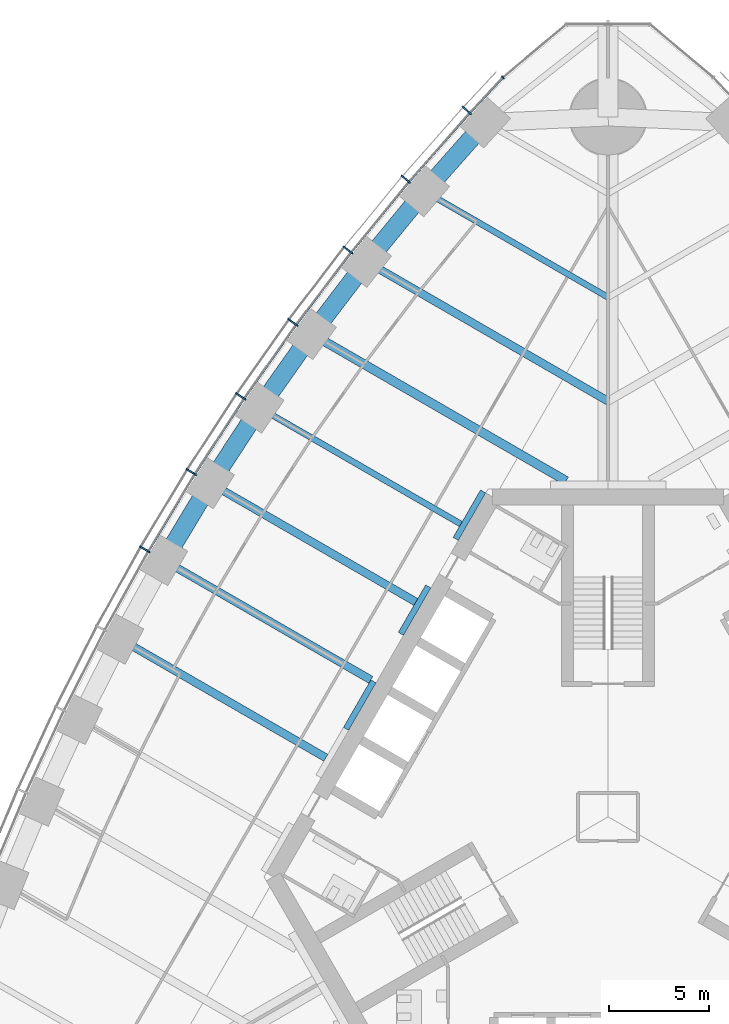
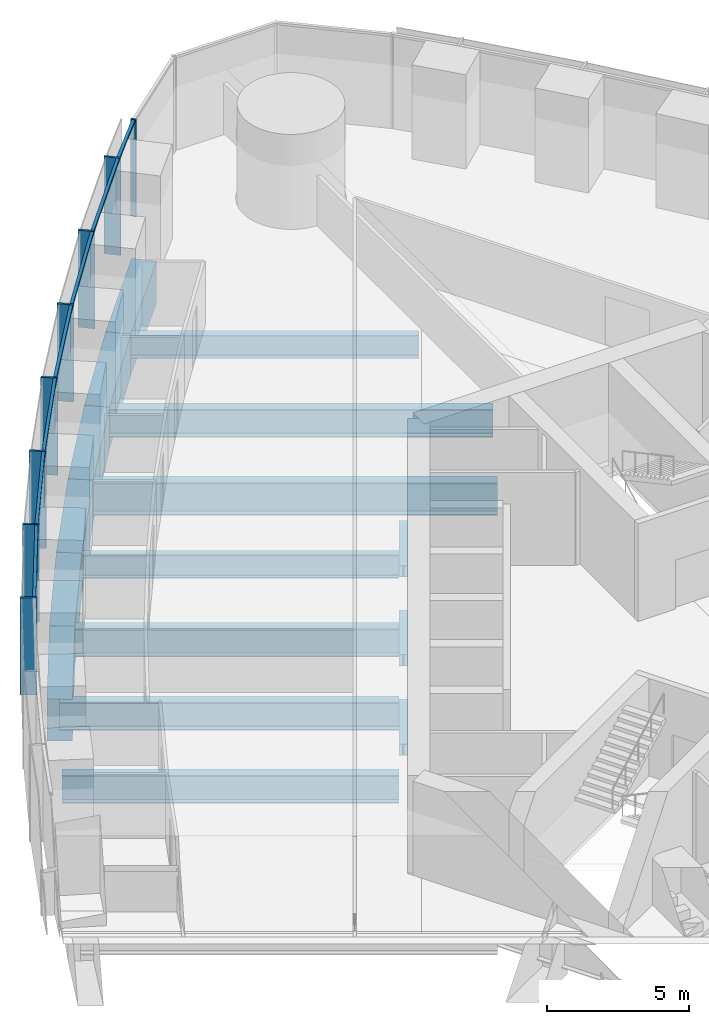
# One storey, part 4 of 18: 16 beams, 15 members, 2 elements without a shape of their own.
"""IFC4 building model written with IfcOpenShell, lengths in metres."""

from ifc_helpers import new_model, si_unit, direction, frame, origin, origin_2d, place, context, subcontext, project, spatial, rectangle, i_section, extrude, material, material_profile, profile_set, type_object, element, aggregate, save


model = new_model("IFC4")

# Units and contexts
model_context = context("Model", 3, precision=1e-05, world=origin(), true_north=direction((0.0, 1.0)))
body_context = subcontext(model_context, "Body", "Model", "MODEL_VIEW")
ifc_project = project(units=[si_unit("LENGTHUNIT", "METRE"), si_unit("AREAUNIT", "SQUARE_METRE"), si_unit("VOLUMEUNIT", "CUBIC_METRE"), si_unit("PLANEANGLEUNIT", "RADIAN"), si_unit("MASSUNIT", "GRAM", prefix="KILO")], contexts=[model_context])

# Site, building, storey
site_placement = place(None, origin())
site = spatial("IfcSite", under=ifc_project, at=site_placement, CompositionType="ELEMENT")
building_placement = place(site_placement, origin())
building = spatial("IfcBuilding", under=site, at=building_placement, Name="Trefoil Bronze Tower", CompositionType="ELEMENT")
storey_placement = place(building_placement, frame((0.0, 0.0, 161.89990234375)))
storey = spatial("IfcBuildingStorey", under=building, at=storey_placement, Name="L37", CompositionType="ELEMENT", Elevation=161.89990234375)

# Curtain wall, members
ifc_material_1 = material(Name="Tinted solar-control glass", Category="glass")
curtain_wall_type_1 = type_object("IfcCurtainWallType", Name="Bronze office curtain wall", PredefinedType="USERDEFINED", material=ifc_material_1)
curtain_wall_1_placement = place(storey_placement, origin())
curtain_wall_1 = element("IfcCurtainWall", 1, at=curtain_wall_1_placement, inside=storey, type_object=curtain_wall_type_1, Name="CW-A L37 F3", ObjectType="CURTAIN WALL", PredefinedType="USERDEFINED")
ifc_material_2 = material(Name="Bronze-finish aluminium", Category="aluminium")
ifc_material_profile_1 = material_profile(ifc_material_2, rectangle(XDim=0.60009765625, YDim=0.080078125, at=origin_2d()), Name="CW-A mullion")
ifc_profile_set_1 = profile_set([ifc_material_profile_1], Name="Bronze-finish aluminium")
member_type_1 = type_object("IfcMemberType", Name="Bronze office curtain wall mullion", PredefinedType="MULLION", material=ifc_profile_set_1)
member_1_placement = place(storey_placement, frame((-7.070068359375, 35.332275390625, 0.0), z_axis=(0.0, 0.0, 1.0), x_axis=(0.740360700327, -0.672209813534, 0.0)))
member_1 = element("IfcMember", 2, at=member_1_placement, type_object=member_type_1, Name="CW-A L37 F3 mullion 2", PredefinedType="MULLION", context=body_context, shape_type="SweptSolid", body=[
    extrude(rectangle(XDim=0.60009765625, YDim=0.080078125, at=origin_2d()), origin(), (0.0, 0.0, 1.0), 4.18017578125),
])
member_2_placement = place(storey_placement, frame((-10.11474609375, 31.8828125, 0.0), z_axis=(0.0, 0.0, 1.0), x_axis=(0.761721651066, -0.647904411389, 0.0)))
member_2 = element("IfcMember", 3, at=member_2_placement, type_object=member_type_1, Name="CW-A L37 F3 mullion 3", PredefinedType="MULLION", context=body_context, shape_type="SweptSolid", body=[
    extrude(rectangle(XDim=0.60009765625, YDim=0.080078125, at=origin_2d()), origin(), (0.0, 0.0, 1.0), 4.18017578125),
])
member_3_placement = place(storey_placement, frame((-13.01220703125, 28.34716796875, 0.0), z_axis=(0.0, 0.0, 1.0), x_axis=(0.78487913905, -0.619648882098, 0.0)))
member_3 = element("IfcMember", 4, at=member_3_placement, type_object=member_type_1, Name="CW-A L37 F3 mullion 4", PredefinedType="MULLION", context=body_context, shape_type="SweptSolid", body=[
    extrude(rectangle(XDim=0.60009765625, YDim=0.080078125, at=origin_2d()), origin(), (0.0, 0.0, 1.0), 4.18017578125),
])
member_4_placement = place(storey_placement, frame((-15.764404296875, 24.7275390625, 0.0), z_axis=(0.0, 0.0, 1.0), x_axis=(0.806874522901, -0.590722865897, 0.0)))
member_4 = element("IfcMember", 5, at=member_4_placement, type_object=member_type_1, Name="CW-A L37 F3 mullion 5", PredefinedType="MULLION", context=body_context, shape_type="SweptSolid", body=[
    extrude(rectangle(XDim=0.60009765625, YDim=0.080078125, at=origin_2d()), origin(), (0.0, 0.0, 1.0), 4.18017578125),
])
member_5_placement = place(storey_placement, frame((-18.373046875, 21.025146484375, 0.0), z_axis=(0.0, 0.0, 1.0), x_axis=(0.827723925749, -0.561135547566, 0.0)))
member_5 = element("IfcMember", 6, at=member_5_placement, type_object=member_type_1, Name="CW-A L37 F3 mullion 6", PredefinedType="MULLION", context=body_context, shape_type="SweptSolid", body=[
    extrude(rectangle(XDim=0.60009765625, YDim=0.080078125, at=origin_2d()), origin(), (0.0, 0.0, 1.0), 4.18017578125),
])
member_6_placement = place(storey_placement, frame((-20.840087890625, 17.24072265625, 0.0), z_axis=(0.0, 0.0, 1.0), x_axis=(0.84743864936, -0.530893337283, 0.0)))
member_6 = element("IfcMember", 7, at=member_6_placement, type_object=member_type_1, Name="CW-A L37 F3 mullion 7", PredefinedType="MULLION", context=body_context, shape_type="SweptSolid", body=[
    extrude(rectangle(XDim=0.60009765625, YDim=0.080078125, at=origin_2d()), origin(), (0.0, 0.0, 1.0), 4.18017578125),
])
member_7_placement = place(storey_placement, frame((-23.166015625, 13.374755859375, 0.0), z_axis=(0.0, 0.0, 1.0), x_axis=(0.866025403784, -0.5, 0.0)))
member_7 = element("IfcMember", 8, at=member_7_placement, type_object=member_type_1, Name="CW-A L37 F3 mullion 8", PredefinedType="MULLION", context=body_context, shape_type="SweptSolid", body=[
    extrude(rectangle(XDim=0.60009765625, YDim=0.080078125, at=origin_2d()), origin(), (0.0, 0.0, 1.0), 4.18017578125),
])
ifc_material_3 = material(Name="Bronze-finish aluminium", Category="aluminium")
ifc_material_profile_2 = material_profile(ifc_material_3, rectangle(XDim=0.1201171875, YDim=0.10009765625, at=origin_2d()), Name="CW-A transom")
ifc_profile_set_2 = profile_set([ifc_material_profile_2], Name="Bronze-finish aluminium")
member_type_2 = type_object("IfcMemberType", Name="Bronze office curtain wall transom", PredefinedType="USERDEFINED", material=ifc_profile_set_2)
member_8_placement = place(storey_placement, frame((-5.296630859375, 36.9384765625, 4.130126953125), z_axis=(-0.682489214428, -0.730895664366, 0.0), x_axis=(0.730895664366, -0.682489214428, 0.0)))
member_8 = element("IfcMember", 9, at=member_8_placement, type_object=member_type_2, Name="CW-A L37 F3 transom 1", ObjectType="TRANSOM", PredefinedType="USERDEFINED", context=body_context, shape_type="SweptSolid", body=[
    extrude(rectangle(XDim=0.1201171875, YDim=0.10009765625, at=origin_2d()), origin(), (0.0, 0.0, 1.0), 2.340087890625),
])
member_9_placement = place(storey_placement, frame((-6.949462890625, 35.166748046875, 4.130126953125), z_axis=(-0.66173618877, -0.749736764786, 0.0), x_axis=(0.749736764786, -0.66173618877, 0.0)))
member_9 = element("IfcMember", 10, at=member_9_placement, type_object=member_type_2, Name="CW-A L37 F3 transom 2", ObjectType="TRANSOM", PredefinedType="USERDEFINED", context=body_context, shape_type="SweptSolid", body=[
    extrude(rectangle(XDim=0.1201171875, YDim=0.10009765625, at=origin_2d()), origin(), (0.0, 0.0, 1.0), 4.510986328125),
])
member_10_placement = place(storey_placement, frame((-9.98876953125, 31.720947265625, 4.130126953125), z_axis=(-0.633848872297, -0.773456919995, 0.0), x_axis=(0.773456919995, -0.633848872297, 0.0)))
member_10 = element("IfcMember", 11, at=member_10_placement, type_object=member_type_2, Name="CW-A L37 F3 transom 3", ObjectType="TRANSOM", PredefinedType="USERDEFINED", context=body_context, shape_type="SweptSolid", body=[
    extrude(rectangle(XDim=0.1201171875, YDim=0.10009765625, at=origin_2d()), origin(), (0.0, 0.0, 1.0), 4.480224609375),
])
member_11_placement = place(storey_placement, frame((-12.880615234375, 28.18994140625, 4.130126953125), z_axis=(-0.605229114572, -0.796051329296, 0.0), x_axis=(0.796051329296, -0.605229114572, 0.0)))
member_11 = element("IfcMember", 12, at=member_11_placement, type_object=member_type_2, Name="CW-A L37 F3 transom 4", ObjectType="TRANSOM", PredefinedType="USERDEFINED", context=body_context, shape_type="SweptSolid", body=[
    extrude(rectangle(XDim=0.1201171875, YDim=0.10009765625, at=origin_2d()), origin(), (0.0, 0.0, 1.0), 4.456298828125),
])
member_12_placement = place(storey_placement, frame((-15.626953125, 24.5751953125, 4.130126953125), z_axis=(-0.576017858824, -0.817437108478, 0.0), x_axis=(0.817437108478, -0.576017858824, 0.0)))
member_12 = element("IfcMember", 13, at=member_12_placement, type_object=member_type_2, Name="CW-A L37 F3 transom 5", ObjectType="TRANSOM", PredefinedType="USERDEFINED", context=body_context, shape_type="SweptSolid", body=[
    extrude(rectangle(XDim=0.1201171875, YDim=0.10009765625, at=origin_2d()), origin(), (0.0, 0.0, 1.0), 4.4384765625),
])
member_13_placement = place(storey_placement, frame((-18.23046875, 20.877685546875, 4.130126953125), z_axis=(-0.546079336226, -0.837733465099, 0.0), x_axis=(0.837733465099, -0.546079336226, 0.0)))
member_13 = element("IfcMember", 14, at=member_13_placement, type_object=member_type_2, Name="CW-A L37 F3 transom 6", ObjectType="TRANSOM", PredefinedType="USERDEFINED", context=body_context, shape_type="SweptSolid", body=[
    extrude(rectangle(XDim=0.1201171875, YDim=0.10009765625, at=origin_2d()), origin(), (0.0, 0.0, 1.0), 4.426513671875),
])
member_14_placement = place(storey_placement, frame((-20.692138671875, 17.0986328125, 4.130126953125), z_axis=(-0.515526794174, -0.856873458854, 0.0), x_axis=(0.856873458854, -0.515526794174, 0.0)))
member_14 = element("IfcMember", 15, at=member_14_placement, type_object=member_type_2, Name="CW-A L37 F3 transom 7", ObjectType="TRANSOM", PredefinedType="USERDEFINED", context=body_context, shape_type="SweptSolid", body=[
    extrude(rectangle(XDim=0.1201171875, YDim=0.10009765625, at=origin_2d()), origin(), (0.0, 0.0, 1.0), 4.4208984375),
])
aggregate(curtain_wall_1, [member_1, member_2, member_3, member_4, member_5, member_6, member_7, member_8, member_9, member_10, member_11, member_12, member_13, member_14])

# Curtain wall, member
ifc_material_4 = material(Name="Tinted solar-control glass", Category="glass")
curtain_wall_type_2 = type_object("IfcCurtainWallType", Name="Bronze rounded corner curtain wall", PredefinedType="USERDEFINED", material=ifc_material_4)
curtain_wall_2_placement = place(storey_placement, origin())
curtain_wall_2 = element("IfcCurtainWall", 16, at=curtain_wall_2_placement, inside=storey, type_object=curtain_wall_type_2, Name="CW-B L37 K2", ObjectType="CURTAIN WALL", PredefinedType="USERDEFINED")
ifc_material_5 = material(Name="Bronze-finish aluminium", Category="aluminium")
ifc_material_profile_3 = material_profile(ifc_material_5, rectangle(XDim=0.199951171875, YDim=0.06005859375, at=origin_2d()), Name="CW-B mullion")
ifc_profile_set_3 = profile_set([ifc_material_profile_3], Name="Bronze-finish aluminium")
member_type_3 = type_object("IfcMemberType", Name="Bronze rounded corner curtain wall mullion", PredefinedType="MULLION", material=ifc_profile_set_3)
member_15_placement = place(storey_placement, frame((-5.260498046875, 36.975830078125, 0.0), z_axis=(0.0, 0.0, 1.0), x_axis=(0.642787609687, -0.766044443119, 0.0)))
member_15 = element("IfcMember", 17, at=member_15_placement, type_object=member_type_3, Name="CW-B L37 K2 mullion 4", PredefinedType="MULLION", context=body_context, shape_type="SweptSolid", body=[
    extrude(rectangle(XDim=0.199951171875, YDim=0.06005859375, at=origin_2d()), origin(), (0.0, 0.0, 1.0), 4.18017578125),
])
aggregate(curtain_wall_2, [member_15])

# Beams
ifc_material_6 = material(Name="Steel C355", Category="steel")
ifc_material_profile_4 = material_profile(ifc_material_6, i_section(OverallWidth=0.300048828125, OverallDepth=0.5, WebThickness=0.014404296875, FlangeThickness=0.028076171875, FilletRadius=0.027099609375, at=origin_2d()), Name="HEB 500")
ifc_profile_set_4 = profile_set([ifc_material_profile_4], Name="Steel C355")
beam_type_1 = type_object("IfcBeamType", Name="Core seat beam HEB 500", PredefinedType="BEAM", material=ifc_profile_set_4)
for number, where, z_axis, x_axis, name in (
    (18, (-6.249755859375, 16.27490234375, -0.449951171875), (-0.500035825175, -0.866004719122, 0.0), (0.866004719122, -0.500035825175, 0.0), "Core seat beam F3/-2 L37"),
    (19, (-8.9921875, 11.52490234375, -0.449951171875), (-0.500035825175, -0.866004719122, 0.0), (0.866004719122, -0.500035825175, 0.0), "Core seat beam F3/-1 L37"),
    (20, (-11.734619140625, 6.77490234375, -0.449951171875), (-0.500035825175, -0.866004719122, 0.0), (0.866004719122, -0.500035825175, 0.0), "Core seat beam F3/+0 L37"),
):
    element("IfcBeam", number, at=place(storey_placement, frame(where, z_axis=z_axis, x_axis=x_axis)), inside=storey, type_object=beam_type_1, Name=name, PredefinedType="BEAM", context=body_context, shape_type="SweptSolid", body=[
        extrude(i_section(OverallWidth=0.300048828125, OverallDepth=0.5, WebThickness=0.014404296875, FlangeThickness=0.028076171875, FilletRadius=0.027099609375, at=origin_2d()), origin(), (0.0, 0.0, 1.0), 2.742431640625),
    ])
ifc_material_7 = material(Name="Steel C355", Category="steel")
ifc_material_profile_5 = material_profile(ifc_material_7, i_section(OverallWidth=0.300048828125, OverallDepth=1.0, WebThickness=0.01904296875, FlangeThickness=0.035888671875, FilletRadius=0.030029296875, at=origin_2d()), Name="HEB 1000")
ifc_profile_set_5 = profile_set([ifc_material_profile_5], Name="Steel C355")
beam_type_2 = type_object("IfcBeamType", Name="Floor beam HEB 1000", PredefinedType="BEAM", material=ifc_profile_set_5)
beam_1_placement = place(storey_placement, frame((-9.181884765625, 31.281982421875, -0.699951171875), z_axis=(0.866021079084, -0.500007490527, 0.0), x_axis=(0.500007490527, 0.866021079084, 0.0)))
element("IfcBeam", 21, at=beam_1_placement, inside=storey, type_object=beam_type_2, Name="Floor beam F3/-5 L37", PredefinedType="BEAM", context=body_context, shape_type="SweptSolid", body=[
    extrude(i_section(OverallWidth=0.300048828125, OverallDepth=1.0, WebThickness=0.01904296875, FlangeThickness=0.035888671875, FilletRadius=0.030029296875, at=origin_2d()), origin(), (0.0, 0.0, 1.0), 10.602294921875),
])
ifc_material_8 = material(Name="Steel C355", Category="steel")
ifc_material_profile_6 = material_profile(ifc_material_8, i_section(OverallWidth=0.302001953125, OverallDepth=1.008056640625, WebThickness=0.02099609375, FlangeThickness=0.0400390625, FilletRadius=0.030029296875, at=origin_2d()), Name="HEM 1000")
ifc_profile_set_6 = profile_set([ifc_material_profile_6], Name="Steel C355")
beam_type_3 = type_object("IfcBeamType", Name="Floor beam HEM 1000", PredefinedType="BEAM", material=ifc_profile_set_6)
beam_2_placement = place(storey_placement, frame((-17.43017578125, 20.45556640625, -0.703857421875), z_axis=(0.866030626868, -0.499990953245, 0.0), x_axis=(0.499990953245, 0.866030626868, 0.0)))
element("IfcBeam", 22, at=beam_2_placement, inside=storey, type_object=beam_type_3, Name="Floor beam F3/-2 L37", PredefinedType="BEAM", context=body_context, shape_type="SweptSolid", body=[
    extrude(i_section(OverallWidth=0.302001953125, OverallDepth=1.008056640625, WebThickness=0.02099609375, FlangeThickness=0.0400390625, FilletRadius=0.030029296875, at=origin_2d()), origin(), (0.0, 0.0, 1.0), 11.622802734375),
])
ifc_material_9 = material(Name="Steel C355", Category="steel")
ifc_material_profile_7 = material_profile(ifc_material_9, i_section(OverallWidth=0.39990234375, OverallDepth=1.199951171875, WebThickness=0.02001953125, FlangeThickness=0.0400390625, FilletRadius=0.010009765625, at=origin_2d()), Name="WPG 1200")
ifc_profile_set_7 = profile_set([ifc_material_profile_7], Name="Steel C355")
beam_type_4 = type_object("IfcBeamType", Name="Floor beam WPG 1200", PredefinedType="BEAM", material=ifc_profile_set_7)
beam_3_placement = place(storey_placement, frame((-12.07666015625, 27.757080078125, -0.7998046875), z_axis=(0.866026983775, -0.499997263366, 0.0), x_axis=(0.499997263366, 0.866026983775, 0.0)))
element("IfcBeam", 23, at=beam_3_placement, inside=storey, type_object=beam_type_4, Name="Floor beam F3/-4 L37", PredefinedType="BEAM", context=body_context, shape_type="SweptSolid", body=[
    extrude(i_section(OverallWidth=0.39990234375, OverallDepth=1.199951171875, WebThickness=0.02001953125, FlangeThickness=0.0400390625, FilletRadius=0.010009765625, at=origin_2d()), origin(), (0.0, 0.0, 1.0), 13.94482421875),
])
beam_4_placement = place(storey_placement, frame((-19.892578125, 16.68115234375, -0.7998046875), z_axis=(0.866024236736, -0.500002021381, 0.0), x_axis=(0.500002021381, 0.866024236736, 0.0)))
element("IfcBeam", 24, at=beam_4_placement, inside=storey, type_object=beam_type_4, Name="Floor beam F3/-1 L37", PredefinedType="BEAM", context=body_context, shape_type="SweptSolid", body=[
    extrude(i_section(OverallWidth=0.39990234375, OverallDepth=1.199951171875, WebThickness=0.02001953125, FlangeThickness=0.0400390625, FilletRadius=0.010009765625, at=origin_2d()), origin(), (0.0, 0.0, 1.0), 11.8681640625),
])
beam_5_placement = place(storey_placement, frame((-22.21337890625, 12.824951171875, -0.7998046875), z_axis=(0.866028062731, -0.499995394541, 0.0), x_axis=(0.499995394541, 0.866028062731, 0.0)))
element("IfcBeam", 25, at=beam_5_placement, inside=storey, type_object=beam_type_4, Name="Floor beam F3/+0 L37", PredefinedType="BEAM", context=body_context, shape_type="SweptSolid", body=[
    extrude(i_section(OverallWidth=0.39990234375, OverallDepth=1.199951171875, WebThickness=0.02001953125, FlangeThickness=0.0400390625, FilletRadius=0.010009765625, at=origin_2d()), origin(), (0.0, 0.0, 1.0), 11.94970703125),
])
beam_6_placement = place(storey_placement, frame((-24.392578125, 8.886962890625, -0.7998046875), z_axis=(0.866024236736, -0.500002021381, 0.0), x_axis=(0.500002021381, 0.866024236736, 0.0)))
element("IfcBeam", 26, at=beam_6_placement, inside=storey, type_object=beam_type_4, Name="Floor beam F3/+1 L37", PredefinedType="BEAM", context=body_context, shape_type="SweptSolid", body=[
    extrude(i_section(OverallWidth=0.39990234375, OverallDepth=1.199951171875, WebThickness=0.02001953125, FlangeThickness=0.0400390625, FilletRadius=0.010009765625, at=origin_2d()), origin(), (0.0, 0.0, 1.0), 11.8681640625),
])
ifc_material_10 = material(Name="Steel C355", Category="steel")
ifc_material_profile_8 = material_profile(ifc_material_10, i_section(OverallWidth=0.449951171875, OverallDepth=1.39990234375, WebThickness=0.02294921875, FlangeThickness=0.044921875, FilletRadius=0.011962890625, at=origin_2d()), Name="WPG 1400")
ifc_profile_set_8 = profile_set([ifc_material_profile_8], Name="Steel C355")
beam_type_5 = type_object("IfcBeamType", Name="Floor beam WPG 1400", PredefinedType="BEAM", material=ifc_profile_set_8)
beam_7_placement = place(storey_placement, frame((-14.825439453125, 24.14794921875, -0.89990234375), z_axis=(0.866027342682, -0.499996641717, 0.0), x_axis=(0.499996641717, 0.866027342682, 0.0)))
element("IfcBeam", 27, at=beam_7_placement, inside=storey, type_object=beam_type_5, Name="Floor beam F3/-3 L37", PredefinedType="BEAM", context=body_context, shape_type="SweptSolid", body=[
    extrude(i_section(OverallWidth=0.449951171875, OverallDepth=1.39990234375, WebThickness=0.02294921875, FlangeThickness=0.044921875, FilletRadius=0.011962890625, at=origin_2d()), origin(), (0.0, 0.0, 1.0), 14.69580078125),
])
ifc_material_11 = material(Name="Concrete B80", Category="concrete")
ifc_material_profile_9 = material_profile(ifc_material_11, rectangle(XDim=0.89990234375, YDim=1.800048828125, at=origin_2d()), Name="RC 900x1800")
ifc_profile_set_9 = profile_set([ifc_material_profile_9], Name="Concrete B80")
beam_type_6 = type_object("IfcBeamType", Name="Spandrel beam RC 900x1800", PredefinedType="SPANDREL", material=ifc_profile_set_9)
beam_8_placement = place(storey_placement, frame((-6.13916015625, 34.72119140625, -1.099853515625), z_axis=(-0.662616326239, -0.748959013699, 0.0), x_axis=(0.748959013699, -0.662616326239, 0.0)))
element("IfcBeam", 28, at=beam_8_placement, inside=storey, type_object=beam_type_6, Name="Spandrel F3.2 L37", PredefinedType="SPANDREL", context=body_context, shape_type="SweptSolid", body=[
    extrude(rectangle(XDim=0.89990234375, YDim=1.800048828125, at=origin_2d()), origin(), (0.0, 0.0, 1.0), 4.592041015625),
])
beam_9_placement = place(storey_placement, frame((-9.181884765625, 31.281982421875, -1.099853515625), z_axis=(-0.634650386838, -0.772799383079, 0.0), x_axis=(0.772799383079, -0.634650386838, 0.0)))
element("IfcBeam", 29, at=beam_9_placement, inside=storey, type_object=beam_type_6, Name="Spandrel F3.3 L37", PredefinedType="SPANDREL", context=body_context, shape_type="SweptSolid", body=[
    extrude(rectangle(XDim=0.89990234375, YDim=1.800048828125, at=origin_2d()), origin(), (0.0, 0.0, 1.0), 4.561279296875),
])
beam_10_placement = place(storey_placement, frame((-12.07666015625, 27.757080078125, -1.099853515625), z_axis=(-0.605898901788, -0.795541652468, 0.0), x_axis=(0.795541652468, -0.605898901788, 0.0)))
element("IfcBeam", 30, at=beam_10_placement, inside=storey, type_object=beam_type_6, Name="Spandrel F3.4 L37", PredefinedType="SPANDREL", context=body_context, shape_type="SweptSolid", body=[
    extrude(rectangle(XDim=0.89990234375, YDim=1.800048828125, at=origin_2d()), origin(), (0.0, 0.0, 1.0), 4.53662109375),
])
beam_11_placement = place(storey_placement, frame((-14.825439453125, 24.14794921875, -1.099853515625), z_axis=(-0.576439228712, -0.81714002203, 0.0), x_axis=(0.81714002203, -0.576439228712, 0.0)))
element("IfcBeam", 31, at=beam_11_placement, inside=storey, type_object=beam_type_6, Name="Spandrel F3.5 L37", PredefinedType="SPANDREL", context=body_context, shape_type="SweptSolid", body=[
    extrude(rectangle(XDim=0.89990234375, YDim=1.800048828125, at=origin_2d()), origin(), (0.0, 0.0, 1.0), 4.5185546875),
])
beam_12_placement = place(storey_placement, frame((-17.43017578125, 20.45556640625, -1.099853515625), z_axis=(-0.546396670296, -0.83752652417, 0.0), x_axis=(0.83752652417, -0.546396670296, 0.0)))
element("IfcBeam", 32, at=beam_12_placement, inside=storey, type_object=beam_type_6, Name="Spandrel F3.6 L37", PredefinedType="SPANDREL", context=body_context, shape_type="SweptSolid", body=[
    extrude(rectangle(XDim=0.89990234375, YDim=1.800048828125, at=origin_2d()), origin(), (0.0, 0.0, 1.0), 4.506591796875),
])
beam_13_placement = place(storey_placement, frame((-19.892578125, 16.68115234375, -1.099853515625), z_axis=(-0.515651979972, -0.856798129988, 0.0), x_axis=(0.856798129988, -0.515651979972, 0.0)))
element("IfcBeam", 33, at=beam_13_placement, inside=storey, type_object=beam_type_6, Name="Spandrel F3.7 L37", PredefinedType="SPANDREL", context=body_context, shape_type="SweptSolid", body=[
    extrude(rectangle(XDim=0.89990234375, YDim=1.800048828125, at=origin_2d()), origin(), (0.0, 0.0, 1.0), 4.500732421875),
])

save(model, "model.ifc")
